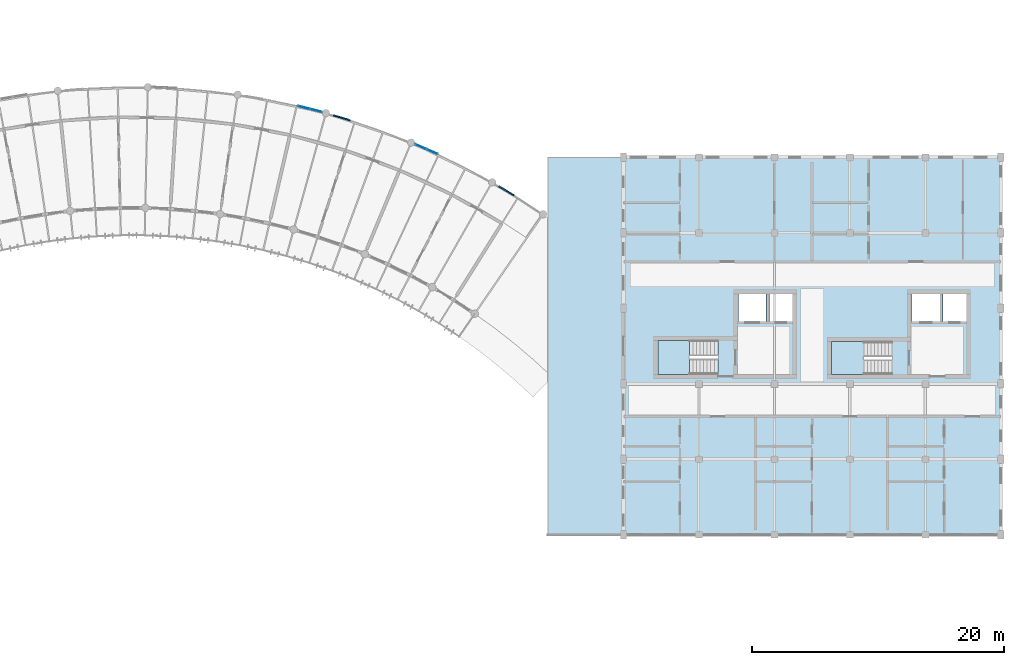
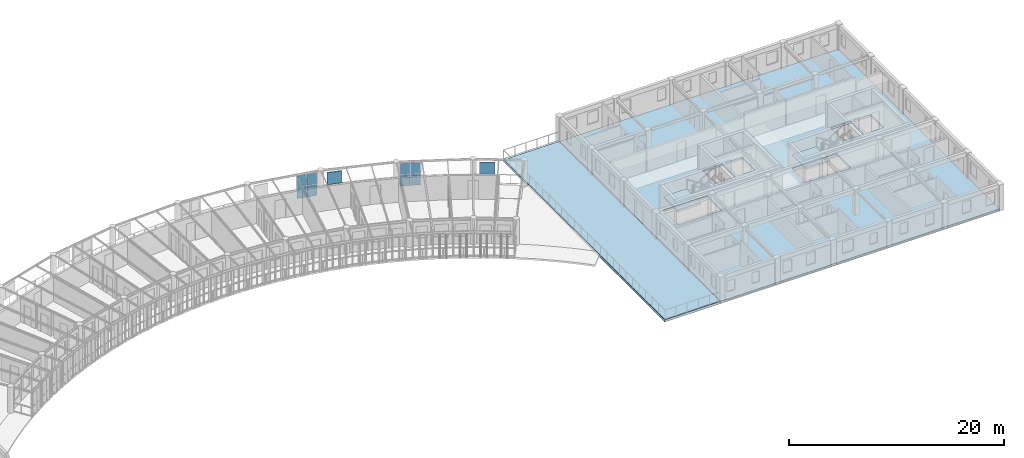
# One storey, part 51 of 101: 10 plates, 4 slabs, 4 elements without a shape of their own.
"""IFC4 building model written with IfcOpenShell, lengths in metres."""

from ifc_helpers import new_model, si_unit, direction, frame, origin, origin_2d, place, context, subcontext, project, spatial, polyline, rectangle, outline, extrude, material, layer, layer_set, type_object, element, aggregate, save


model = new_model("IFC4")

# Units and contexts
model_context = context("Model", 3, precision=1e-05, world=origin(), true_north=direction((0.0, 1.0)))
body_context = subcontext(model_context, "Body", "Model", "MODEL_VIEW")
ifc_project = project(units=[si_unit("LENGTHUNIT", "METRE"), si_unit("AREAUNIT", "SQUARE_METRE"), si_unit("VOLUMEUNIT", "CUBIC_METRE"), si_unit("PLANEANGLEUNIT", "RADIAN"), si_unit("MASSUNIT", "GRAM", prefix="KILO"), si_unit("POWERUNIT", "WATT"), si_unit("THERMODYNAMICTEMPERATUREUNIT", "KELVIN")], contexts=[model_context])

# Site, building, storey
site_placement = place(None, origin())
site = spatial("IfcSite", under=ifc_project, at=site_placement, CompositionType="ELEMENT")
building_placement = place(site_placement, origin())
building = spatial("IfcBuilding", under=site, at=building_placement, Name="Ruvembo Vaulted Housing Court", CompositionType="ELEMENT")
storey_placement = place(building_placement, frame((0.0, 0.0, 17.300048828125)))
storey = spatial("IfcBuildingStorey", under=building, at=storey_placement, Name="L05", CompositionType="ELEMENT", Elevation=17.300048828125)

# Curtain wall, plates
ifc_material_1 = material(Name="Anodised Aluminium and Solar-Control Glass", Category="aluminium")
ifc_layer_1 = layer(ifc_material_1, 0.139892578125, Name="Anodised Aluminium and Solar-Control Glass")
ifc_layer_set_1 = layer_set([ifc_layer_1], Name="Anodised Aluminium and Solar-Control Glass")
curtain_wall_type = type_object("IfcCurtainWallType", Name="CW-SCOOP-PAN", PredefinedType="NOTDEFINED", material=ifc_layer_set_1)
curtain_wall_1_placement = place(storey_placement, origin())
curtain_wall_1 = element("IfcCurtainWall", 1, at=curtain_wall_1_placement, inside=storey, type_object=curtain_wall_type, Name="L05 Curtain Wall CW-L05-0087", PredefinedType="NOTDEFINED")
ifc_material_2 = material(Name="Solar-Control Laminated Insulating Glass", Category="glass")
ifc_layer_2 = layer(ifc_material_2, 0.035888671875, Name="Solar-Control Laminated Insulating Glass")
ifc_layer_set_2 = layer_set([ifc_layer_2], Name="Solar-Control Laminated Insulating Glass")
plate_type_1 = type_object("IfcPlateType", Name="CW-PANEL-ACOUST", PredefinedType="CURTAIN_PANEL", material=ifc_layer_set_2)
plate_1_placement = place(storey_placement, frame((130.593017578125, 105.9638671875, 0.06005859375), z_axis=(0.0, 0.0, 1.0), x_axis=(0.969139966406, -0.246511106269, 0.0)))
plate_1 = element("IfcPlate", 2, at=plate_1_placement, type_object=plate_type_1, Name="CW10 panel 1.1", PredefinedType="CURTAIN_PANEL", context=body_context, shape_type="SweptSolid", body=[
    extrude(rectangle(XDim=0.93798828125, YDim=0.035888671875, at=origin_2d()), origin(), (0.0, 0.0, 1.0), 1.2548828125),
])
plate_2_placement = place(storey_placement, frame((130.593017578125, 105.9638671875, 1.375), z_axis=(0.0, 0.0, 1.0), x_axis=(0.969139966406, -0.246511106269, 0.0)))
plate_2 = element("IfcPlate", 3, at=plate_2_placement, type_object=plate_type_1, Name="CW10 panel 1.2", PredefinedType="CURTAIN_PANEL", context=body_context, shape_type="SweptSolid", body=[
    extrude(rectangle(XDim=0.93798828125, YDim=0.035888671875, at=origin_2d()), origin(), (0.0, 0.0, 1.0), 1.2548828125),
])
plate_3_placement = place(storey_placement, frame((131.55517578125, 105.718994140625, 0.06005859375), z_axis=(0.0, 0.0, 1.0), x_axis=(0.969139966406, -0.246511106269, 0.0)))
plate_3 = element("IfcPlate", 4, at=plate_3_placement, type_object=plate_type_1, Name="CW10 panel 2.1", PredefinedType="CURTAIN_PANEL", context=body_context, shape_type="SweptSolid", body=[
    extrude(rectangle(XDim=0.93798828125, YDim=0.035888671875, at=origin_2d()), origin(), (0.0, 0.0, 1.0), 1.2548828125),
])
plate_4_placement = place(storey_placement, frame((131.55517578125, 105.718994140625, 1.375), z_axis=(0.0, 0.0, 1.0), x_axis=(0.969139966406, -0.246511106269, 0.0)))
plate_4 = element("IfcPlate", 5, at=plate_4_placement, type_object=plate_type_1, Name="CW10 panel 2.2", PredefinedType="CURTAIN_PANEL", context=body_context, shape_type="SweptSolid", body=[
    extrude(rectangle(XDim=0.93798828125, YDim=0.035888671875, at=origin_2d()), origin(), (0.0, 0.0, 1.0), 1.2548828125),
])
aggregate(curtain_wall_1, [plate_1, plate_2, plate_3, plate_4])

curtain_wall_2_placement = place(storey_placement, origin())
curtain_wall_2 = element("IfcCurtainWall", 6, at=curtain_wall_2_placement, inside=storey, type_object=curtain_wall_type, Name="L05 Curtain Wall CW-L05-0088", PredefinedType="NOTDEFINED")
ifc_layer_3 = layer(ifc_material_2, 0.031982421875, Name="Solar-Control Laminated Insulating Glass")
ifc_layer_set_3 = layer_set([ifc_layer_3], Name="Solar-Control Laminated Insulating Glass")
plate_type_2 = type_object("IfcPlateType", Name="CW-PANEL-SOLAR", PredefinedType="CURTAIN_PANEL", material=ifc_layer_set_3)
plate_5_placement = place(storey_placement, frame((139.885498046875, 102.84619140625, 0.06494140625), z_axis=(0.0, 0.0, 1.0), x_axis=(0.915080056505, -0.403272228386, 0.0)))
plate_5 = element("IfcPlate", 7, at=plate_5_placement, type_object=plate_type_2, Name="CW10 panel 1.1", PredefinedType="CURTAIN_PANEL", context=body_context, shape_type="SweptSolid", body=[
    extrude(rectangle(XDim=0.930419921875, YDim=0.031982421875, at=origin_2d()), origin(), (0.0, 0.0, 1.0), 1.24755859375),
])
plate_6_placement = place(storey_placement, frame((139.885498046875, 102.84619140625, 1.37744140625), z_axis=(0.0, 0.0, 1.0), x_axis=(0.915080056505, -0.403272228386, 0.0)))
plate_6 = element("IfcPlate", 8, at=plate_6_placement, type_object=plate_type_2, Name="CW10 panel 1.2", PredefinedType="CURTAIN_PANEL", context=body_context, shape_type="SweptSolid", body=[
    extrude(rectangle(XDim=0.930419921875, YDim=0.031982421875, at=origin_2d()), origin(), (0.0, 0.0, 1.0), 1.24755859375),
])
plate_7_placement = place(storey_placement, frame((140.791748046875, 102.44677734375, 0.06494140625), z_axis=(0.0, 0.0, 1.0), x_axis=(0.915080056505, -0.403272228386, 0.0)))
plate_7 = element("IfcPlate", 9, at=plate_7_placement, type_object=plate_type_2, Name="CW10 panel 2.1", PredefinedType="CURTAIN_PANEL", context=body_context, shape_type="SweptSolid", body=[
    extrude(rectangle(XDim=0.930419921875, YDim=0.031982421875, at=origin_2d()), origin(), (0.0, 0.0, 1.0), 1.24755859375),
])
plate_8_placement = place(storey_placement, frame((140.791748046875, 102.44677734375, 1.37744140625), z_axis=(0.0, 0.0, 1.0), x_axis=(0.915080056505, -0.403272228386, 0.0)))
plate_8 = element("IfcPlate", 10, at=plate_8_placement, type_object=plate_type_2, Name="CW10 panel 2.2", PredefinedType="CURTAIN_PANEL", context=body_context, shape_type="SweptSolid", body=[
    extrude(rectangle(XDim=0.930419921875, YDim=0.031982421875, at=origin_2d()), origin(), (0.0, 0.0, 1.0), 1.24755859375),
])
aggregate(curtain_wall_2, [plate_5, plate_6, plate_7, plate_8])

# Plates
ifc_material_3 = material(Name="Perforated Glazed Ceramic Cobogo Block", Category="ceramic")
ifc_layer_4 = layer(ifc_material_3, 0.1201171875, Name="Perforated Glazed Ceramic Cobogo Block")
ifc_layer_set_4 = layer_set([ifc_layer_4], Name="Perforated Glazed Ceramic Cobogo Block")
plate_type_3 = type_object("IfcPlateType", Name="PL-COBOGO-120", PredefinedType="USERDEFINED", material=ifc_layer_set_4)
for number, where, z_axis, x_axis, name in (
    (11, (133.61865234375, 105.1376953125, 1.1201171875), (0.0, 0.0, 1.0), (0.958077900113, -0.286507831158, 0.0), "Scoop SC3 L05 Ceramic Cobogo Screen #109"),
    (12, (146.697265625, 99.340087890625, 1.1201171875), (0.0, 0.0, 1.0), (0.857894561819, -0.513825768915, 0.0), "Scoop SC3 L05 Ceramic Cobogo Screen #110"),
):
    element("IfcPlate", number, at=place(storey_placement, frame(where, z_axis=z_axis, x_axis=x_axis)), inside=storey, type_object=plate_type_3, Name=name, ObjectType="COBOGO_PANEL", PredefinedType="USERDEFINED", context=body_context, shape_type="SweptSolid", body=[
        extrude(rectangle(XDim=1.39990234375, YDim=0.1201171875, at=origin_2d()), origin(), (0.0, 0.0, 1.0), 1.360107421875),
    ])

# Slab
ifc_material_4 = material(Name="Concrete C30/37", Category="concrete")
ifc_layer_5 = layer(ifc_material_4, 0.25, Name="Concrete C30/37")
ifc_layer_set_5 = layer_set([ifc_layer_5], Name="Concrete C30/37")
slab_type_1 = type_object("IfcSlabType", Name="SL-FLR-250", PredefinedType="FLOOR", material=ifc_layer_set_5)
slab_1_placement = place(storey_placement, frame((0.0, 0.0, -0.25)))
element("IfcSlab", 13, at=slab_1_placement, inside=storey, type_object=slab_type_1, Name="Block D L05 Structural Floor Slab", PredefinedType="FLOOR", context=body_context, shape_type="SweptSolid", body=[
    extrude(outline(polyline([(186.0, 72.0), (186.0, 102.0), (156.0, 102.0), (156.0, 72.0), (186.0, 72.0)]), holes=[polyline([(163.5, 87.449951171875), (158.75, 87.449951171875), (158.75, 84.75), (163.5, 84.75), (163.5, 87.449951171875)]), polyline([(165.14990234375, 88.85009765625), (167.35009765625, 88.85009765625), (167.35009765625, 91.25), (165.14990234375, 91.25), (165.14990234375, 88.85009765625)]), polyline([(167.60009765625, 88.85009765625), (169.449951171875, 88.85009765625), (169.449951171875, 91.25), (167.60009765625, 91.25), (167.60009765625, 88.85009765625)]), polyline([(177.35009765625, 87.35009765625), (172.550048828125, 87.35009765625), (172.550048828125, 84.75), (177.35009765625, 84.75), (177.35009765625, 87.35009765625)]), polyline([(178.949951171875, 88.85009765625), (181.14990234375, 88.85009765625), (181.14990234375, 91.25), (178.949951171875, 91.25), (178.949951171875, 88.85009765625)]), polyline([(181.39990234375, 88.85009765625), (183.25, 88.85009765625), (183.25, 91.25), (181.39990234375, 91.25), (181.39990234375, 88.85009765625)])]), origin(), (0.0, 0.0, 1.0), 0.25),
])

# Stair, slab
ifc_material_5 = material(Name="Concrete C35/45", Category="concrete")
stair_type_1 = type_object("IfcStairType", Name="STR-CORE-1250", PredefinedType="HALF_TURN_STAIR", material=ifc_material_5)
stair_1_placement = place(storey_placement, origin())
stair_1 = element("IfcStair", 14, at=stair_1_placement, inside=storey, type_object=stair_type_1, Name="L05 Protected Exit Stair ST-D1", PredefinedType="HALF_TURN_STAIR")
ifc_layer_6 = layer(ifc_material_4, 0.201904296875, Name="Concrete C30/37")
ifc_layer_set_6 = layer_set([ifc_layer_6], Name="Concrete C30/37")
slab_type_2 = type_object("IfcSlabType", Name="SL-LAND-202", PredefinedType="LANDING", material=ifc_layer_set_6)
slab_2_placement = place(storey_placement, frame((0.0, 0.0, 1.39990234375)))
slab_2 = element("IfcSlab", 15, at=slab_2_placement, type_object=slab_type_2, Name="ST-D1 landing 1", PredefinedType="LANDING", context=body_context, shape_type="SweptSolid", body=[
    extrude(outline(polyline([(161.260009765625, 87.449951171875), (158.75, 87.449951171875), (158.75, 84.75), (161.260009765625, 84.75), (161.260009765625, 87.449951171875)])), origin(), (0.0, 0.0, 1.0), 0.199951171875),
])
aggregate(stair_1, [slab_2])

stair_type_2 = type_object("IfcStairType", Name="STR-CORE-1200", PredefinedType="HALF_TURN_STAIR", material=ifc_material_5)
stair_2_placement = place(storey_placement, origin())
stair_2 = element("IfcStair", 16, at=stair_2_placement, inside=storey, type_object=stair_type_2, Name="L05 Protected Exit Stair ST-D2", PredefinedType="HALF_TURN_STAIR")
slab_3_placement = place(storey_placement, frame((0.0, 0.0, 1.39990234375)))
slab_3 = element("IfcSlab", 17, at=slab_3_placement, type_object=slab_type_2, Name="ST-D2 landing 1", PredefinedType="LANDING", context=body_context, shape_type="SweptSolid", body=[
    extrude(outline(polyline([(175.110107421875, 87.35009765625), (172.550048828125, 87.35009765625), (172.550048828125, 84.75), (175.110107421875, 84.75), (175.110107421875, 87.35009765625)])), origin(), (0.0, 0.0, 1.0), 0.199951171875),
])
aggregate(stair_2, [slab_3])

# Slab
ifc_layer_7 = layer(ifc_material_4, 0.260009765625, Name="Concrete C30/37")
ifc_layer_set_7 = layer_set([ifc_layer_7], Name="Concrete C30/37")
slab_type_3 = type_object("IfcSlabType", Name="SL-TER-260", PredefinedType="FLOOR", material=ifc_layer_set_7)
slab_4_placement = place(storey_placement, frame((0.0, 0.0, -0.260009765625)))
element("IfcSlab", 18, at=slab_4_placement, inside=storey, type_object=slab_type_3, Name="Block D L05 Planted Roof Garden Slab", PredefinedType="FLOOR", context=body_context, shape_type="SweptSolid", body=[
    extrude(outline(polyline([(150.0, 72.0), (156.0, 72.0), (156.0, 102.0), (150.0, 102.0), (150.0, 72.0)])), origin(), (0.0, 0.0, 1.0), 0.260009765625),
])

save(model, "model.ifc")
